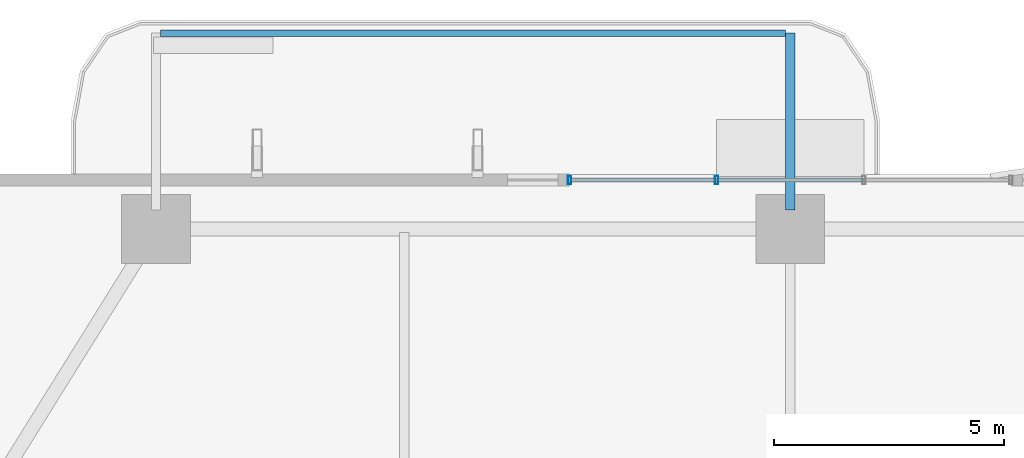
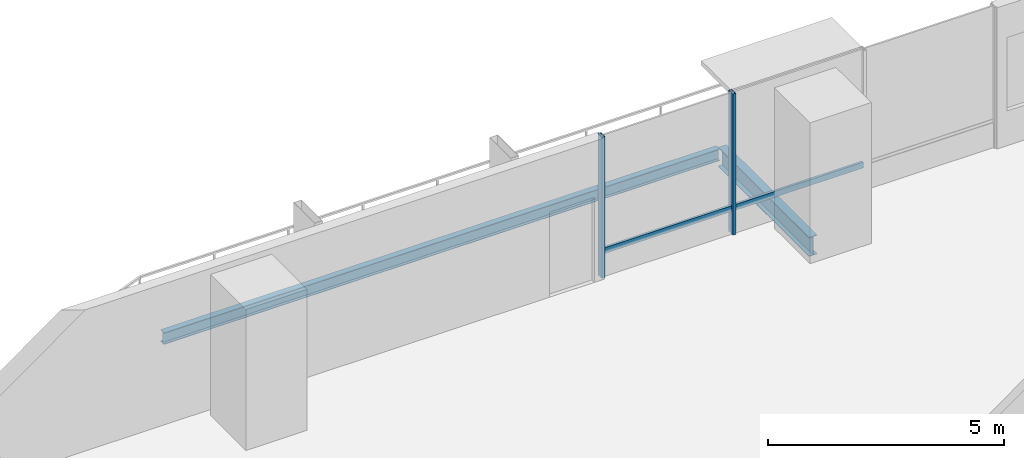
# One storey, part 11 of 24: 4 members, 2 beams, 1 element without a shape of its own.
"""IFC4 building model written with IfcOpenShell, lengths in metres."""

from ifc_helpers import new_model, si_unit, direction, frame, origin, origin_2d, place, context, subcontext, project, spatial, hollow_rectangle, i_section, extrude, material, layer, layer_set, material_profile, profile_set, type_object, element, aggregate, save


model = new_model("IFC4")

# Units and contexts
model_context = context("Model", 3, precision=1e-05, world=origin(), true_north=direction((0.0, 1.0)))
body_context = subcontext(model_context, "Body", "Model", "MODEL_VIEW")
ifc_project = project(units=[si_unit("LENGTHUNIT", "METRE"), si_unit("AREAUNIT", "SQUARE_METRE"), si_unit("VOLUMEUNIT", "CUBIC_METRE"), si_unit("PLANEANGLEUNIT", "RADIAN"), si_unit("MASSUNIT", "GRAM", prefix="KILO")], contexts=[model_context])

# Site, building, storey
site_placement = place(None, origin())
site = spatial("IfcSite", under=ifc_project, at=site_placement, CompositionType="ELEMENT")
building_placement = place(site_placement, origin())
building = spatial("IfcBuilding", under=site, at=building_placement, Name="Belovzor Exchange Tower", CompositionType="ELEMENT")
storey_placement = place(building_placement, frame((0.0, 0.0, 92.39990234375)))
storey = spatial("IfcBuildingStorey", under=building, at=storey_placement, Name="L22", CompositionType="ELEMENT", Elevation=92.39990234375)

# Beams
ifc_material_1 = material(Name="Steel S355", Category="steel")
ifc_material_profile_1 = material_profile(ifc_material_1, i_section(OverallWidth=0.199951171875, OverallDepth=0.5, WebThickness=0.01025390625, FlangeThickness=0.01611328125, at=origin_2d()))
ifc_profile_set_1 = profile_set([ifc_material_profile_1], Name="Steel S355")
beam_type_1 = type_object("IfcBeamType", Name="Planted Balcony Cantilever Beam IPE 500", PredefinedType="BEAM", material=ifc_profile_set_1)
beam_1_placement = place(storey_placement, frame((28.800048828125, 55.9130859375, -0.5), z_axis=(0.0, 1.0, 0.0), x_axis=(-1.0, 0.0, 0.0)))
element("IfcBeam", 1, at=beam_1_placement, inside=storey, type_object=beam_type_1, Name="BC-500 Planted Balcony Cantilever Beam IPE 500", PredefinedType="BEAM", context=body_context, shape_type="SweptSolid", body=[
    extrude(i_section(OverallWidth=0.199951171875, OverallDepth=0.5, WebThickness=0.01025390625, FlangeThickness=0.01611328125, at=origin_2d()), origin(), (0.0, 0.0, 1.0), 3.849853515625),
])
ifc_material_2 = material(Name="Steel S355", Category="steel")
ifc_material_profile_2 = material_profile(ifc_material_2, i_section(OverallWidth=0.14990234375, OverallDepth=0.300048828125, WebThickness=0.007080078125, FlangeThickness=0.0107421875, at=origin_2d()))
ifc_profile_set_2 = profile_set([ifc_material_profile_2], Name="Steel S355")
beam_type_2 = type_object("IfcBeamType", Name="Planted Balcony Fascia Edge Beam IPE 300", PredefinedType="BEAM", material=ifc_profile_set_2)
beam_2_placement = place(storey_placement, frame((28.699951171875, 59.762939453125, -0.39990234375), z_axis=(-1.0, 0.0, 0.0), x_axis=(0.0, -1.0, 0.0)))
element("IfcBeam", 2, at=beam_2_placement, inside=storey, type_object=beam_type_2, Name="BC-300 Planted Balcony Fascia Edge Beam IPE 300", PredefinedType="BEAM", context=body_context, shape_type="SweptSolid", body=[
    extrude(i_section(OverallWidth=0.14990234375, OverallDepth=0.300048828125, WebThickness=0.007080078125, FlangeThickness=0.0107421875, at=origin_2d()), origin(), (0.0, 0.0, 1.0), 13.599853515625),
])

# Curtain wall, members
ifc_material_3 = material(Name="Anodised Aluminium Framing", Category="aluminium")
ifc_layer = layer(ifc_material_3, 0.179931640625)
ifc_layer_set = layer_set([ifc_layer], Name="Anodised Aluminium Framing")
curtain_wall_type = type_object("IfcCurtainWallType", Name="Recessed Loggia Low-Iron Triple-Glazed Curtain Wall", PredefinedType="NOTDEFINED", material=ifc_layer_set)
curtain_wall_placement = place(storey_placement, origin())
curtain_wall = element("IfcCurtainWall", 3, at=curtain_wall_placement, inside=storey, type_object=curtain_wall_type, Name="CW3 Recessed Loggia Low-Iron Triple-Glazed Curtain Wall L22", PredefinedType="NOTDEFINED")
ifc_material_4 = material(Name="Steel S355", Category="steel")
ifc_material_profile_3 = material_profile(ifc_material_4, hollow_rectangle(XDim=0.074951171875, YDim=0.179931640625, WallThickness=0.0048828125, at=origin_2d()))
ifc_profile_set_3 = profile_set([ifc_material_profile_3], Name="Steel S355")
member_type_1 = type_object("IfcMemberType", Name="Thermally Broken Curtain Wall Mullion 180x75", PredefinedType="MULLION", material=ifc_profile_set_3)
member_1_placement = place(storey_placement, frame((24.0, 56.570068359375, 0.0), z_axis=(0.0, 0.0, 1.0), x_axis=(1.0, 0.0, 0.0)))
member_1 = element("IfcMember", 4, at=member_1_placement, type_object=member_type_1, Name="CW-M180 Curtain Wall Mullion 1", PredefinedType="MULLION", context=body_context, shape_type="SweptSolid", body=[
    extrude(hollow_rectangle(XDim=0.074951171875, YDim=0.179931640625, WallThickness=0.0048828125, at=origin_2d()), origin(), (0.0, 0.0, 1.0), 3.650146484375),
])
member_2_placement = place(storey_placement, frame((27.199951171875, 56.570068359375, 0.0), z_axis=(0.0, 0.0, 1.0), x_axis=(1.0, 0.0, 0.0)))
member_2 = element("IfcMember", 5, at=member_2_placement, type_object=member_type_1, Name="CW-M180 Curtain Wall Mullion 2", PredefinedType="MULLION", context=body_context, shape_type="SweptSolid", body=[
    extrude(hollow_rectangle(XDim=0.074951171875, YDim=0.179931640625, WallThickness=0.0048828125, at=origin_2d()), origin(), (0.0, 0.0, 1.0), 3.650146484375),
])
ifc_material_5 = material(Name="Steel S355", Category="steel")
ifc_material_profile_4 = material_profile(ifc_material_5, hollow_rectangle(XDim=0.06005859375, YDim=0.14990234375, WallThickness=0.00390625, at=origin_2d()))
ifc_profile_set_4 = profile_set([ifc_material_profile_4], Name="Steel S355")
member_type_2 = type_object("IfcMemberType", Name="Thermally Broken Curtain Wall Transom 150x60", PredefinedType="USERDEFINED", material=ifc_profile_set_4)
member_3_placement = place(storey_placement, frame((24.008056640625, 56.570068359375, 0.650146484375), z_axis=(1.0, 0.0, 0.0), x_axis=(0.0, 1.0, 0.0)))
member_3 = element("IfcMember", 6, at=member_3_placement, type_object=member_type_2, Name="CW-T150 Curtain Wall Transom 1", ObjectType="TRANSOM", PredefinedType="USERDEFINED", context=body_context, shape_type="SweptSolid", body=[
    extrude(hollow_rectangle(XDim=0.06005859375, YDim=0.14990234375, WallThickness=0.00390625, at=origin_2d()), origin(), (0.0, 0.0, 1.0), 3.183837890625),
])
member_4_placement = place(storey_placement, frame((27.2080078125, 56.570068359375, 0.650146484375), z_axis=(1.0, 0.0, 0.0), x_axis=(0.0, 1.0, 0.0)))
member_4 = element("IfcMember", 7, at=member_4_placement, type_object=member_type_2, Name="CW-T150 Curtain Wall Transom 2", ObjectType="TRANSOM", PredefinedType="USERDEFINED", context=body_context, shape_type="SweptSolid", body=[
    extrude(hollow_rectangle(XDim=0.06005859375, YDim=0.14990234375, WallThickness=0.00390625, at=origin_2d()), origin(), (0.0, 0.0, 1.0), 3.18408203125),
])
aggregate(curtain_wall, [member_1, member_2, member_3, member_4])

save(model, "model.ifc")
